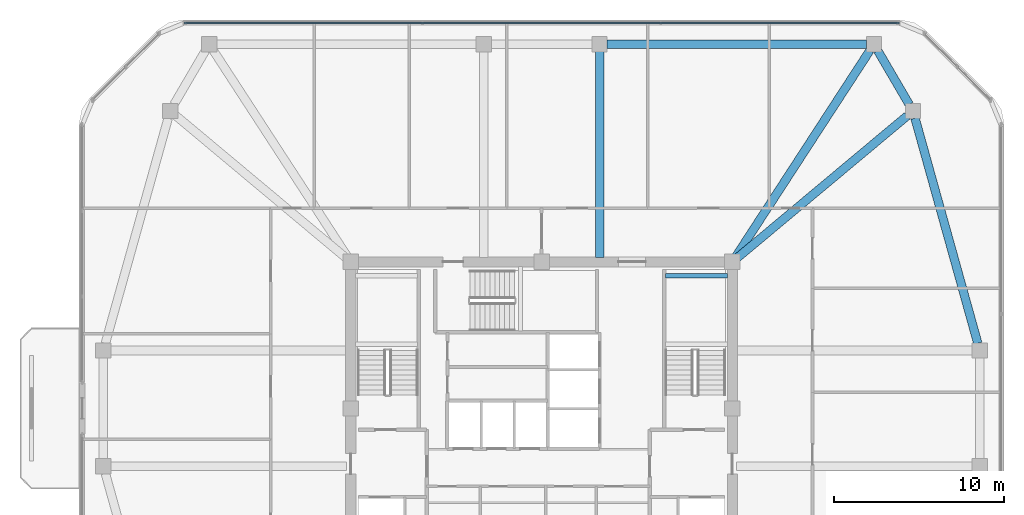
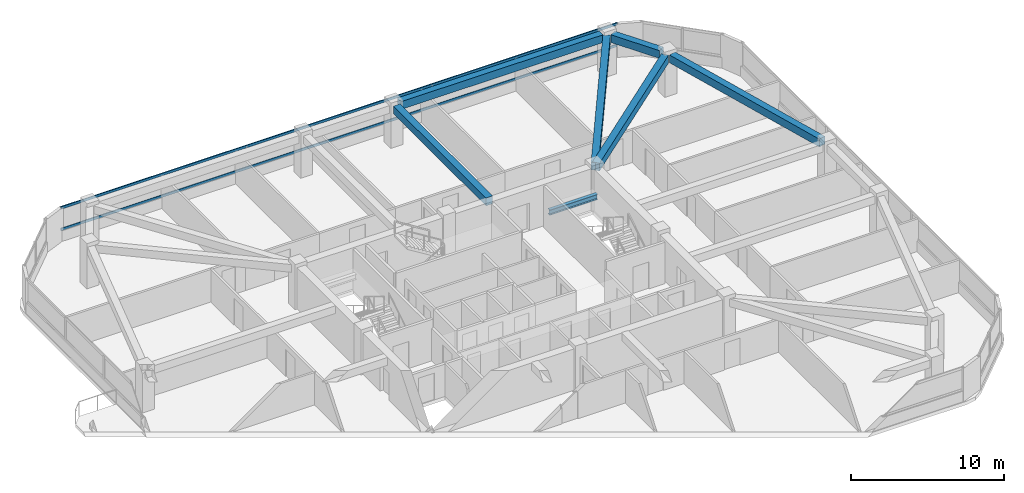
# One storey, part 5 of 13: 7 beams, 2 members, 1 element without a shape of its own.
"""IFC4 building model written with IfcOpenShell, lengths in metres."""

from ifc_helpers import new_model, si_unit, derived_unit, direction, frame, origin, origin_2d, place, context, subcontext, project, spatial, rectangle, i_section, extrude, material, material_profile, profile_set, type_object, element, aggregate, save


model = new_model("IFC4")

# Units and contexts
model_context = context("Model", 3, precision=1e-05, world=origin(), true_north=direction((0.0, 1.0)))
body_context = subcontext(model_context, "Body", "Model", "MODEL_VIEW")
ifc_project = project(units=[si_unit("LENGTHUNIT", "METRE"), si_unit("AREAUNIT", "SQUARE_METRE"), si_unit("VOLUMEUNIT", "CUBIC_METRE"), si_unit("PLANEANGLEUNIT", "RADIAN"), si_unit("MASSUNIT", "GRAM", prefix="KILO"), derived_unit("THERMALTRANSMITTANCEUNIT", [(si_unit("POWERUNIT", "WATT"), 1), (si_unit("LENGTHUNIT", "METRE"), -2), (si_unit("THERMODYNAMICTEMPERATUREUNIT", "KELVIN"), -1)])], contexts=[model_context])

# Site, building, storey
site_placement = place(None, origin())
site = spatial("IfcSite", under=ifc_project, at=site_placement, CompositionType="ELEMENT")
building_placement = place(site_placement, origin())
building = spatial("IfcBuilding", under=site, at=building_placement, Name="Koralith Skygarden Medical Center", CompositionType="ELEMENT")
storey_placement = place(building_placement, frame((0.0, 0.0, 228.780029296875)))
storey = spatial("IfcBuildingStorey", under=building, at=storey_placement, Name="L59", CompositionType="ELEMENT", Elevation=228.780029296875)

# Curtain wall, members
ifc_material_1 = material(Name="Clear Laminated Glass", Category="glass")
curtain_wall_type = type_object("IfcCurtainWallType", Name="CW-5 Zone 4 Flare Biophilic Curtain Wall", PredefinedType="NOTDEFINED", material=ifc_material_1)
curtain_wall_placement = place(storey_placement, origin())
curtain_wall = element("IfcCurtainWall", 1, at=curtain_wall_placement, inside=storey, type_object=curtain_wall_type, Name="Curtain Wall CW-L59-N", PredefinedType="NOTDEFINED")
ifc_material_2 = material(Name="Aluminium 6063-T6", Category="aluminium")
ifc_material_profile_1 = material_profile(ifc_material_2, rectangle(XDim=0.074951171875, YDim=0.197998046875, at=origin_2d()), Name="TRN75X198")
ifc_profile_set_1 = profile_set([ifc_material_profile_1], Name="Aluminium 6063-T6")
member_type = type_object("IfcMemberType", Name="CW-5 Thermal Transom 75x198", PredefinedType="USERDEFINED", material=ifc_profile_set_1)
member_1_placement = place(storey_placement, frame((57.987060546875, 48.52001953125, 0.89990234375), z_axis=(-1.0, 0.0, 0.0), x_axis=(0.0, -1.0, 0.0)))
member_1 = element("IfcMember", 2, at=member_1_placement, type_object=member_type, Name="CW-L59-N Transom 1", ObjectType="TRANSOM", PredefinedType="USERDEFINED", context=body_context, shape_type="SweptSolid", body=[
    extrude(rectangle(XDim=0.074951171875, YDim=0.197998046875, at=origin_2d()), origin(), (0.0, 0.0, 1.0), 41.97412109375),
])
member_2_placement = place(storey_placement, frame((57.987060546875, 48.52001953125, 2.619873046875), z_axis=(-1.0, 0.0, 0.0), x_axis=(0.0, -1.0, 0.0)))
member_2 = element("IfcMember", 3, at=member_2_placement, type_object=member_type, Name="CW-L59-N Transom 2", ObjectType="TRANSOM", PredefinedType="USERDEFINED", context=body_context, shape_type="SweptSolid", body=[
    extrude(rectangle(XDim=0.074951171875, YDim=0.197998046875, at=origin_2d()), origin(), (0.0, 0.0, 1.0), 41.97412109375),
])
aggregate(curtain_wall, [member_1, member_2])

# Beams
ifc_material_3 = material(Name="Steel ASTM A992 Grade 50", Category="steel")
ifc_material_profile_2 = material_profile(ifc_material_3, i_section(OverallWidth=0.260009765625, OverallDepth=0.4150390625, WebThickness=0.010009765625, FlangeThickness=0.016845703125, at=origin_2d()), Name="W16X67")
ifc_profile_set_2 = profile_set([ifc_material_profile_2], Name="Steel ASTM A992 Grade 50")
beam_type_1 = type_object("IfcBeamType", Name="Clinical Floor Joist W16X67", PredefinedType="JOIST", material=ifc_profile_set_2)
beam_1_placement = place(storey_placement, frame((44.280029296875, 33.699951171875, 1.39306640625), z_axis=(1.0, 0.0, 0.0), x_axis=(0.0, 1.0, 0.0)))
element("IfcBeam", 4, at=beam_1_placement, inside=storey, type_object=beam_type_1, Name="L59 Stair ST2 Half-Landing Support Beam 1B", PredefinedType="JOIST", context=body_context, shape_type="SweptSolid", body=[
    extrude(i_section(OverallWidth=0.260009765625, OverallDepth=0.4150390625, WebThickness=0.010009765625, FlangeThickness=0.016845703125, at=origin_2d()), origin(), (0.0, 0.0, 1.0), 3.639892578125),
])
ifc_material_4 = material(Name="Concrete C45/55", Category="concrete")
ifc_material_profile_3 = material_profile(ifc_material_4, rectangle(XDim=0.5, YDim=0.6201171875, at=origin_2d()), Name="RCB500X620")
ifc_profile_set_3 = profile_set([ifc_material_profile_3], Name="Concrete C45/55")
beam_type_2 = type_object("IfcBeamType", Name="Upper Radial Collector Beam RCB500X620", PredefinedType="BEAM", material=ifc_profile_set_3)
beam_2_placement = place(storey_placement, frame((48.39208984375, 34.659912109375, 2.989990234375), z_axis=(0.767298159165, 0.64129052304, 0.0), x_axis=(-0.64129052304, 0.767298159165, 0.0)))
element("IfcBeam", 5, at=beam_2_placement, inside=storey, type_object=beam_type_2, Name="L59 Radial Collector Beam RB-10", PredefinedType="BEAM", context=body_context, shape_type="SweptSolid", body=[
    extrude(rectangle(XDim=0.5, YDim=0.6201171875, at=origin_2d()), origin(), (0.0, 0.0, 1.0), 13.126708984375),
])
beam_3_placement = place(storey_placement, frame((48.3359375, 34.7099609375, 2.989990234375), z_axis=(0.545156385215, 0.838334369842, 0.0), x_axis=(-0.838334369842, 0.545156385215, 0.0)))
element("IfcBeam", 6, at=beam_3_placement, inside=storey, type_object=beam_type_2, Name="L59 Radial Collector Beam RB-11", PredefinedType="BEAM", context=body_context, shape_type="SweptSolid", body=[
    extrude(rectangle(XDim=0.5, YDim=0.6201171875, at=origin_2d()), origin(), (0.0, 0.0, 1.0), 14.5537109375),
])
beam_4_placement = place(storey_placement, frame((40.39990234375, 34.75, 2.989990234375), z_axis=(0.0, 1.0, 0.0), x_axis=(-1.0, 0.0, 0.0)))
element("IfcBeam", 7, at=beam_4_placement, inside=storey, type_object=beam_type_2, Name="L59 Radial Collector Beam RB-12", PredefinedType="BEAM", context=body_context, shape_type="SweptSolid", body=[
    extrude(rectangle(XDim=0.5, YDim=0.6201171875, at=origin_2d()), origin(), (0.0, 0.0, 1.0), 12.090087890625),
])
ifc_material_profile_4 = material_profile(ifc_material_4, rectangle(XDim=0.5, YDim=0.6201171875, at=origin_2d()), Name="RCB500X620")
ifc_profile_set_4 = profile_set([ifc_material_profile_4], Name="Concrete C45/55")
beam_type_3 = type_object("IfcBeamType", Name="Zone 4-5 Spandrel Beam RCB500X620", PredefinedType="SPANDREL", material=ifc_profile_set_4)
beam_5_placement = place(storey_placement, frame((62.60400390625, 29.72412109375, 2.989990234375), z_axis=(-0.26859849356, 0.96325222515, 0.0), x_axis=(-0.96325222515, -0.26859849356, 0.0)))
element("IfcBeam", 8, at=beam_5_placement, inside=storey, type_object=beam_type_3, Name="L59 Perimeter Spandrel Beam SP-09", PredefinedType="SPANDREL", context=body_context, shape_type="SweptSolid", body=[
    extrude(rectangle(XDim=0.5, YDim=0.6201171875, at=origin_2d()), origin(), (0.0, 0.0, 1.0), 13.716064453125),
])
beam_6_placement = place(storey_placement, frame((58.580078125, 43.739990234375, 2.989990234375), z_axis=(-0.504861750403, 0.863200216045, 0.0), x_axis=(-0.863200216045, -0.504861750403, 0.0)))
element("IfcBeam", 9, at=beam_6_placement, inside=storey, type_object=beam_type_3, Name="L59 Perimeter Spandrel Beam SP-10", PredefinedType="SPANDREL", context=body_context, shape_type="SweptSolid", body=[
    extrude(rectangle(XDim=0.5, YDim=0.6201171875, at=origin_2d()), origin(), (0.0, 0.0, 1.0), 3.66064453125),
])
beam_7_placement = place(storey_placement, frame((56.070068359375, 47.280029296875, 2.989990234375), z_axis=(-1.0, 0.0, 0.0), x_axis=(0.0, -1.0, 0.0)))
element("IfcBeam", 10, at=beam_7_placement, inside=storey, type_object=beam_type_3, Name="L59 Perimeter Spandrel Beam SP-11", PredefinedType="SPANDREL", context=body_context, shape_type="SweptSolid", body=[
    extrude(rectangle(XDim=0.5, YDim=0.6201171875, at=origin_2d()), origin(), (0.0, 0.0, 1.0), 15.22998046875),
])

save(model, "model.ifc")
